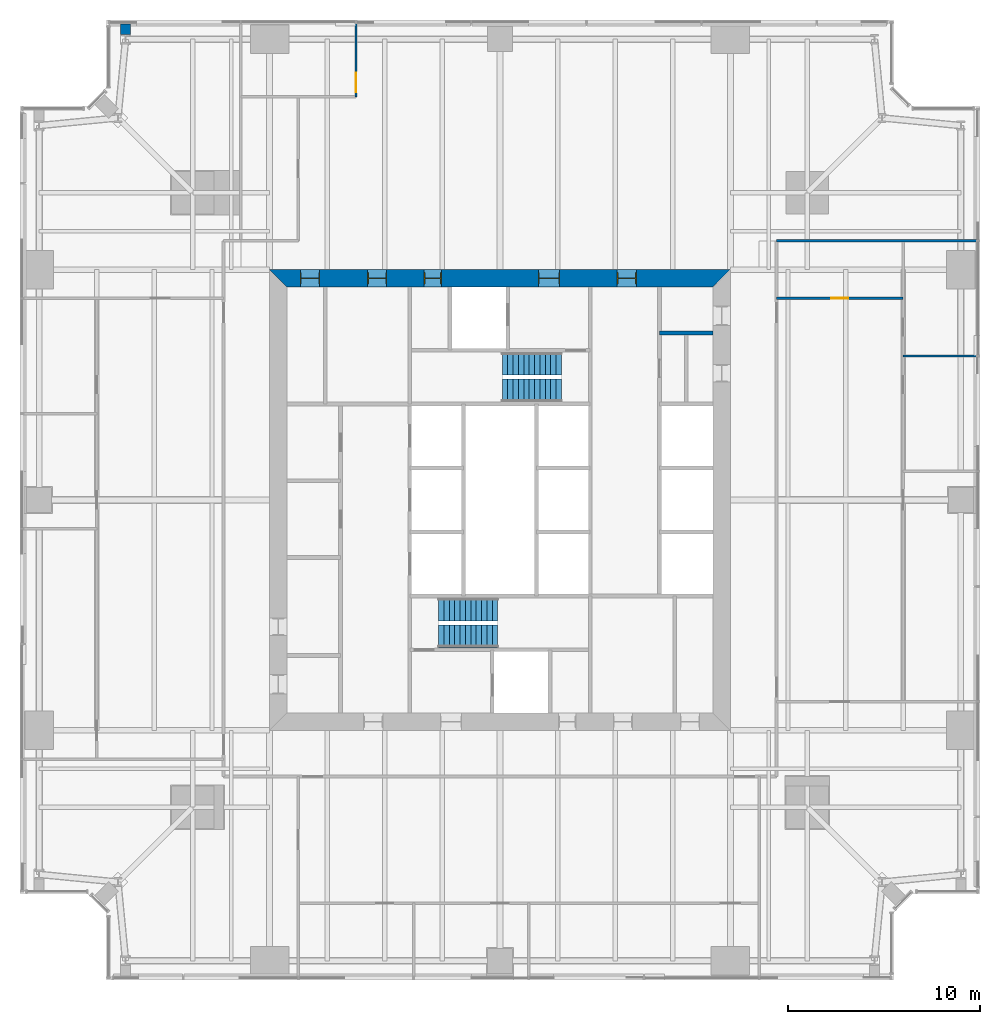
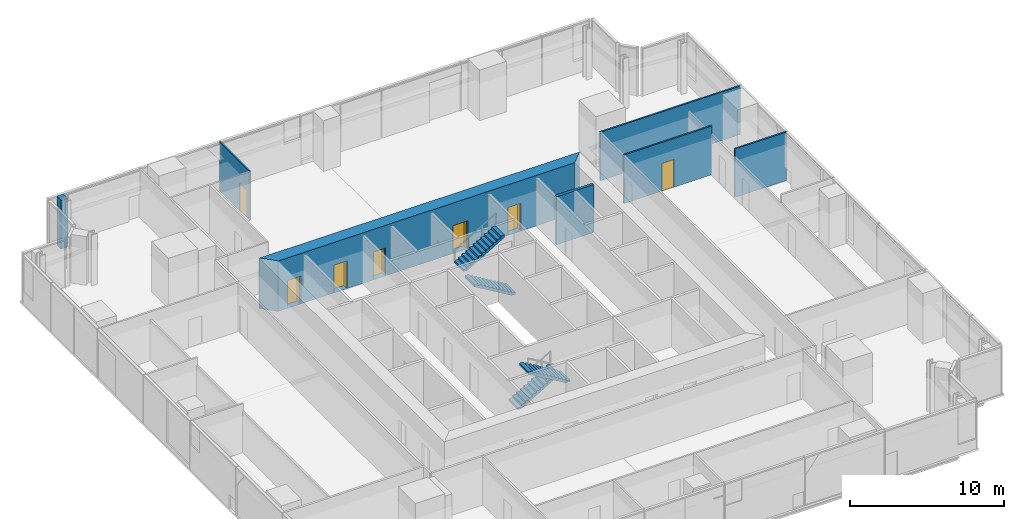
# One storey, part 12 of 14: 7 doors, 7 walls, 4 stair flights, 7 openings, 2 elements without a shape of their own.
"""IFC4 building model written with IfcOpenShell, lengths in metres."""

from ifc_helpers import new_model, si_unit, direction, frame, frame_2d, origin, place, context, subcontext, project, spatial, polyline, rectangle, outline, extrude, material, layer, layer_set, type_object, element, fill, aggregate, save


model = new_model("IFC4")

# Units and contexts
model_context = context("Model", 3, precision=1e-05, world=origin(), true_north=direction((0.0, 1.0)))
body_context = subcontext(model_context, "Body", "Model", "MODEL_VIEW")
ifc_project = project(units=[si_unit("LENGTHUNIT", "METRE"), si_unit("AREAUNIT", "SQUARE_METRE"), si_unit("VOLUMEUNIT", "CUBIC_METRE"), si_unit("PLANEANGLEUNIT", "RADIAN"), si_unit("MASSUNIT", "GRAM", prefix="KILO")], contexts=[model_context])

# Site, building, storey
site_placement = place(None, origin())
site = spatial("IfcSite", under=ifc_project, at=site_placement, CompositionType="ELEMENT")
building_placement = place(site_placement, origin())
building = spatial("IfcBuilding", under=site, at=building_placement, Name="Fenwick Lantern Interchange", CompositionType="ELEMENT")
storey_placement = place(building_placement, frame((0.0, 0.0, 150.39990234375)))
storey = spatial("IfcBuildingStorey", under=building, at=storey_placement, Name="L35", CompositionType="ELEMENT", Elevation=150.39990234375)

# Walls
ifc_material_1 = material(Name="Fire-rated gypsum board encasement on steel studs, 2 hour", Category="steel")
ifc_layer_1 = layer(ifc_material_1, 0.52392578125)
ifc_layer_set_1 = layer_set([ifc_layer_1], Name="COLUMN PIER 524")
wall_type_1 = type_object("IfcWallType", Name="COLUMN PIER 524", PredefinedType="PARTITIONING", material=ifc_layer_set_1)
wall_1_placement = place(storey_placement, frame((5.5, 49.800048828125, 0.0), z_axis=(0.0, 0.0, 1.0), x_axis=(0.0, -1.0, 0.0)))
element("IfcWall", 1, at=wall_1_placement, inside=storey, type_object=wall_type_1, Name="L35/W/PIER/CN5", PredefinedType="PARTITIONING", context=body_context, shape_type="SweptSolid", body=[
    extrude(rectangle(XDim=0.5625, YDim=0.52392578125, at=frame_2d((0.28125, 0.0))), origin(), (0.0, 0.0, 1.0), 3.85009765625),
])
ifc_material_2 = material(Name="Concrete masonry ASTM C90 Grade N", Category="masonry")
ifc_layer_2 = layer(ifc_material_2, 0.199951171875)
ifc_layer_set_2 = layer_set([ifc_layer_2], Name="Concrete masonry ASTM C90 Grade N")
wall_type_2 = type_object("IfcWallType", Name="CORE PARTITION 200", PredefinedType="PARTITIONING", material=ifc_layer_set_2)
wall_2_placement = place(storey_placement, frame((36.10009765625, 33.699951171875, 0.0), z_axis=(0.0, 0.0, 1.0), x_axis=(-1.0, 0.0, 0.0)))
element("IfcWall", 2, at=wall_2_placement, inside=storey, type_object=wall_type_2, Name="L35/W/COREN/p1", PredefinedType="PARTITIONING", context=body_context, shape_type="SweptSolid", body=[
    extrude(rectangle(XDim=2.800048828125, YDim=0.199951171875, at=frame_2d((1.39990234375, 0.0))), origin(), (0.0, 0.0, 1.0), 3.800048828125),
])

# Wall, openings, doors
ifc_material_3 = material(Name="Concrete f'c 70 MPa", Category="concrete")
ifc_layer_3 = layer(ifc_material_3, 0.89990234375)
ifc_layer_set_3 = layer_set([ifc_layer_3], Name="CORE WALL 900")
wall_type_3 = type_object("IfcWallType", Name="CORE WALL 900", PredefinedType="SHEAR", material=ifc_layer_set_3)
wall_3_placement = place(storey_placement, frame((37.0, 36.550048828125, 0.0), z_axis=(0.0, 0.0, 1.0), x_axis=(-1.0, 0.0, 0.0)))
wall_3 = element("IfcWall", 3, at=wall_3_placement, inside=storey, type_object=wall_type_3, Name="L35/CORE/N", PredefinedType="SHEAR", context=body_context, shape_type="SweptSolid", body=[
    extrude(outline(polyline([(0.0, -0.449951171875), (24.0, -0.449951171875), (23.10009765625, 0.449951171875), (0.89990234375, 0.449951171875), (0.0, -0.449951171875)])), origin(), (0.0, 0.0, 1.0), 4.0),
])
opening_1_placement = place(wall_3_placement, frame((4.89990234375, 0.0, 0.0)))
opening_1 = element("IfcOpeningElement", 4, at=opening_1_placement, cuts=wall_3, Name="Opening L35-D011", PredefinedType="OPENING", context=body_context, shape_type="SweptSolid", body=[
    extrude(rectangle(XDim=1.0, YDim=2.199951171875, at=frame_2d((0.5, 1.10009765625))), frame((0.0, 0.4599609375, 0.0), z_axis=(0.0, -1.0, 0.0), x_axis=(1.0, 0.0, 0.0)), (0.0, 0.0, 1.0), 0.919921875),
])
opening_2_placement = place(wall_3_placement, frame((8.89990234375, 0.0, 0.0)))
opening_2 = element("IfcOpeningElement", 5, at=opening_2_placement, cuts=wall_3, Name="Opening L35-D012", PredefinedType="OPENING", context=body_context, shape_type="SweptSolid", body=[
    extrude(rectangle(XDim=1.10009765625, YDim=2.199951171875, at=frame_2d((0.550048828125, 1.10009765625))), frame((0.0, 0.4599609375, 0.0), z_axis=(0.0, -1.0, 0.0), x_axis=(1.0, 0.0, 0.0)), (0.0, 0.0, 1.0), 0.919921875),
])
opening_3_placement = place(wall_3_placement, frame((15.050048828125, 0.0, 0.0)))
opening_3 = element("IfcOpeningElement", 6, at=opening_3_placement, cuts=wall_3, Name="Opening L35-D014", PredefinedType="OPENING", context=body_context, shape_type="SweptSolid", body=[
    extrude(rectangle(XDim=0.89990234375, YDim=2.199951171875, at=frame_2d((0.449951171875, 1.10009765625))), frame((0.0, 0.4599609375, 0.0), z_axis=(0.0, -1.0, 0.0), x_axis=(1.0, 0.0, 0.0)), (0.0, 0.0, 1.0), 0.919921875),
])
opening_4_placement = place(wall_3_placement, frame((17.89990234375, 0.0, 0.0)))
opening_4 = element("IfcOpeningElement", 7, at=opening_4_placement, cuts=wall_3, Name="Opening L35-D015", PredefinedType="OPENING", context=body_context, shape_type="SweptSolid", body=[
    extrude(rectangle(XDim=1.0, YDim=2.199951171875, at=frame_2d((0.5, 1.10009765625))), frame((0.0, 0.4599609375, 0.0), z_axis=(0.0, -1.0, 0.0), x_axis=(1.0, 0.0, 0.0)), (0.0, 0.0, 1.0), 0.919921875),
])
opening_5_placement = place(wall_3_placement, frame((21.39990234375, 0.0, 0.0)))
opening_5 = element("IfcOpeningElement", 8, at=opening_5_placement, cuts=wall_3, Name="Opening L35-D016", PredefinedType="OPENING", context=body_context, shape_type="SweptSolid", body=[
    extrude(rectangle(XDim=1.0, YDim=2.199951171875, at=frame_2d((0.5, 1.10009765625))), frame((0.0, 0.4599609375, 0.0), z_axis=(0.0, -1.0, 0.0), x_axis=(1.0, 0.0, 0.0)), (0.0, 0.0, 1.0), 0.919921875),
])
ifc_material_4 = material(Name="Steel door and frame", Category="steel")
door_type_1 = type_object("IfcDoorType", Name="CORE LOBBY DOOR 1000 X 2200", OperationType="SINGLE_SWING_LEFT", PredefinedType="DOOR", material=ifc_material_4)
door_1_placement = place(opening_1_placement, origin())
door_1 = element("IfcDoor", 9, at=door_1_placement, inside=storey, type_object=door_type_1, Name="Core lobby door", OperationType="SINGLE_SWING_LEFT", OverallHeight=2.199951171875, OverallWidth=1.0, PredefinedType="DOOR", context=body_context, shape_type="SweptSolid", body=[
    extrude(rectangle(XDim=1.0, YDim=2.199951171875, at=frame_2d((0.5, 1.10009765625))), frame((0.0, 0.02490234375, 0.0), z_axis=(0.0, -1.0, 0.0), x_axis=(1.0, 0.0, 0.0)), (0.0, 0.0, 1.0), 0.050048828125),
    extrude(outline(polyline([(0.0, 0.0), (0.0400390625, 0.0), (0.0400390625, 2.159912109375), (0.9599609375, 2.159912109375), (0.9599609375, 0.0), (1.0, 0.0), (1.0, 2.199951171875), (0.0, 2.199951171875), (0.0, 0.0)])), frame((0.0, 0.300048828125, 0.0), z_axis=(0.0, -1.0, 0.0), x_axis=(1.0, 0.0, 0.0)), (0.0, 0.0, 1.0), 0.60009765625),
])
fill(opening_1, door_1)
door_type_2 = type_object("IfcDoorType", Name="FIRE LOBBY DOOR 1100 X 2200", OperationType="SINGLE_SWING_LEFT", PredefinedType="DOOR", material=ifc_material_4)
door_2_placement = place(opening_2_placement, origin())
door_2 = element("IfcDoor", 10, at=door_2_placement, inside=storey, type_object=door_type_2, Name="Fire lobby door", OperationType="SINGLE_SWING_LEFT", OverallHeight=2.199951171875, OverallWidth=1.10009765625, PredefinedType="DOOR", context=body_context, shape_type="SweptSolid", body=[
    extrude(rectangle(XDim=1.10009765625, YDim=2.199951171875, at=frame_2d((0.550048828125, 1.10009765625))), frame((0.0, 0.02490234375, 0.0), z_axis=(0.0, -1.0, 0.0), x_axis=(1.0, 0.0, 0.0)), (0.0, 0.0, 1.0), 0.050048828125),
    extrude(outline(polyline([(0.0, 0.0), (0.0400390625, 0.0), (0.0400390625, 2.159912109375), (1.06005859375, 2.159912109375), (1.06005859375, 0.0), (1.10009765625, 0.0), (1.10009765625, 2.199951171875), (0.0, 2.199951171875), (0.0, 0.0)])), frame((0.0, 0.300048828125, 0.0), z_axis=(0.0, -1.0, 0.0), x_axis=(1.0, 0.0, 0.0)), (0.0, 0.0, 1.0), 0.60009765625),
])
fill(opening_2, door_2)
door_type_3 = type_object("IfcDoorType", Name="SERVICE DOOR 900 X 2200", OperationType="SINGLE_SWING_LEFT", PredefinedType="DOOR", material=ifc_material_4)
door_3_placement = place(opening_3_placement, origin())
door_3 = element("IfcDoor", 11, at=door_3_placement, inside=storey, type_object=door_type_3, Name="Service door", OperationType="SINGLE_SWING_LEFT", OverallHeight=2.199951171875, OverallWidth=0.89990234375, PredefinedType="DOOR", context=body_context, shape_type="SweptSolid", body=[
    extrude(rectangle(XDim=0.89990234375, YDim=2.199951171875, at=frame_2d((0.449951171875, 1.10009765625))), frame((0.0, 0.02490234375, 0.0), z_axis=(0.0, -1.0, 0.0), x_axis=(1.0, 0.0, 0.0)), (0.0, 0.0, 1.0), 0.050048828125),
    extrude(outline(polyline([(0.0, 0.0), (0.0400390625, 0.0), (0.0400390625, 2.159912109375), (0.85986328125, 2.159912109375), (0.85986328125, 0.0), (0.89990234375, 0.0), (0.89990234375, 2.199951171875), (0.0, 2.199951171875), (0.0, 0.0)])), frame((0.0, 0.300048828125, 0.0), z_axis=(0.0, -1.0, 0.0), x_axis=(1.0, 0.0, 0.0)), (0.0, 0.0, 1.0), 0.60009765625),
])
fill(opening_3, door_3)
ifc_material_5 = material(Name="Hardwood door and steel frame", Category="steel")
door_type_4 = type_object("IfcDoorType", Name="WC DOOR 1000 X 2200", OperationType="SINGLE_SWING_LEFT", PredefinedType="DOOR", material=ifc_material_5)
door_4_placement = place(opening_4_placement, origin())
door_4 = element("IfcDoor", 12, at=door_4_placement, inside=storey, type_object=door_type_4, Name="Wc door", OperationType="SINGLE_SWING_LEFT", OverallHeight=2.199951171875, OverallWidth=1.0, PredefinedType="DOOR", context=body_context, shape_type="SweptSolid", body=[
    extrude(rectangle(XDim=1.0, YDim=2.199951171875, at=frame_2d((0.5, 1.10009765625))), frame((0.0, 0.02490234375, 0.0), z_axis=(0.0, -1.0, 0.0), x_axis=(1.0, 0.0, 0.0)), (0.0, 0.0, 1.0), 0.050048828125),
    extrude(outline(polyline([(0.0, 0.0), (0.0400390625, 0.0), (0.0400390625, 2.159912109375), (0.9599609375, 2.159912109375), (0.9599609375, 0.0), (1.0, 0.0), (1.0, 2.199951171875), (0.0, 2.199951171875), (0.0, 0.0)])), frame((0.0, 0.300048828125, 0.0), z_axis=(0.0, -1.0, 0.0), x_axis=(1.0, 0.0, 0.0)), (0.0, 0.0, 1.0), 0.60009765625),
])
fill(opening_4, door_4)
door_5_placement = place(opening_5_placement, origin())
door_5 = element("IfcDoor", 13, at=door_5_placement, inside=storey, type_object=door_type_4, Name="Wc door", OperationType="SINGLE_SWING_LEFT", OverallHeight=2.199951171875, OverallWidth=1.0, PredefinedType="DOOR", context=body_context, shape_type="SweptSolid", body=[
    extrude(rectangle(XDim=1.0, YDim=2.199951171875, at=frame_2d((0.5, 1.10009765625))), frame((0.0, 0.02490234375, 0.0), z_axis=(0.0, -1.0, 0.0), x_axis=(1.0, 0.0, 0.0)), (0.0, 0.0, 1.0), 0.050048828125),
    extrude(outline(polyline([(0.0, 0.0), (0.0400390625, 0.0), (0.0400390625, 2.159912109375), (0.9599609375, 2.159912109375), (0.9599609375, 0.0), (1.0, 0.0), (1.0, 2.199951171875), (0.0, 2.199951171875), (0.0, 0.0)])), frame((0.0, 0.300048828125, 0.0), z_axis=(0.0, -1.0, 0.0), x_axis=(1.0, 0.0, 0.0)), (0.0, 0.0, 1.0), 0.60009765625),
])
fill(opening_5, door_5)

# Wall
ifc_material_6 = material(Name="Gypsum board on steel studs, acoustic", Category="steel")
ifc_layer_4 = layer(ifc_material_6, 0.125)
ifc_layer_set_4 = layer_set([ifc_layer_4], Name="OFFICE PARTITION 125")
wall_type_4 = type_object("IfcWallType", Name="OFFICE PARTITION 125", PredefinedType="PARTITIONING", material=ifc_layer_set_4)
wall_4_placement = place(storey_placement, frame((49.85009765625, 32.5, 0.0), z_axis=(0.0, 0.0, 1.0), x_axis=(-1.0, 0.0, 0.0)))
element("IfcWall", 14, at=wall_4_placement, inside=storey, type_object=wall_type_4, Name="L35/W/OFF/E/X325-1", PredefinedType="PARTITIONING", context=body_context, shape_type="SweptSolid", body=[
    extrude(rectangle(XDim=3.85009765625, YDim=0.125, at=frame_2d((1.925048828125, 0.0))), origin(), (0.0, 0.0, 1.0), 3.85009765625),
])

# Wall, opening, door
wall_5_placement = place(storey_placement, frame((46.0, 35.5, 0.0), z_axis=(0.0, 0.0, 1.0), x_axis=(-1.0, 0.0, 0.0)))
wall_5 = element("IfcWall", 15, at=wall_5_placement, inside=storey, type_object=wall_type_4, Name="L35/W/OFF/E/X355-1", PredefinedType="PARTITIONING", context=body_context, shape_type="SweptSolid", body=[
    extrude(rectangle(XDim=6.60009765625, YDim=0.125, at=frame_2d((3.300048828125, 0.0))), origin(), (0.0, 0.0, 1.0), 3.85009765625),
])
opening_6_placement = place(wall_5_placement, frame((2.85009765625, 0.0, 0.0)))
opening_6 = element("IfcOpeningElement", 16, at=opening_6_placement, cuts=wall_5, Name="Opening L35-D032", PredefinedType="OPENING", context=body_context, shape_type="SweptSolid", body=[
    extrude(rectangle(XDim=0.89990234375, YDim=2.199951171875, at=frame_2d((0.449951171875, 1.10009765625))), frame((0.0, 0.072509765625, 0.0), z_axis=(0.0, -1.0, 0.0), x_axis=(1.0, 0.0, 0.0)), (0.0, 0.0, 1.0), 0.14501953125),
])
door_type_5 = type_object("IfcDoorType", Name="OFFICE DOOR 900 X 2200", OperationType="SINGLE_SWING_LEFT", PredefinedType="DOOR", material=ifc_material_5)
door_6_placement = place(opening_6_placement, frame((0.89990234375, 0.0, 0.0), z_axis=(0.0, 0.0, 1.0), x_axis=(-1.0, 0.0, 0.0)))
door_6 = element("IfcDoor", 17, at=door_6_placement, inside=storey, type_object=door_type_5, Name="Office door", OperationType="SINGLE_SWING_RIGHT", OverallHeight=2.199951171875, OverallWidth=0.89990234375, PredefinedType="DOOR", context=body_context, shape_type="SweptSolid", body=[
    extrude(rectangle(XDim=0.89990234375, YDim=2.199951171875, at=frame_2d((0.449951171875, 1.10009765625))), frame((0.0, 0.02490234375, 0.0), z_axis=(0.0, -1.0, 0.0), x_axis=(1.0, 0.0, 0.0)), (0.0, 0.0, 1.0), 0.050048828125),
])
fill(opening_6, door_6)

# Wall
wall_6_placement = place(storey_placement, frame((49.85009765625, 38.5, 0.0), z_axis=(0.0, 0.0, 1.0), x_axis=(-1.0, 0.0, 0.0)))
element("IfcWall", 18, at=wall_6_placement, inside=storey, type_object=wall_type_4, Name="L35/W/OFF/N/BACK", PredefinedType="PARTITIONING", context=body_context, shape_type="SweptSolid", body=[
    extrude(rectangle(XDim=10.4501953125, YDim=0.125, at=frame_2d((5.22509765625, 0.0))), origin(), (0.0, 0.0, 1.0), 3.85009765625),
])

# Wall, opening, door
wall_7_placement = place(storey_placement, frame((17.5, 49.85009765625, 0.0), z_axis=(0.0, 0.0, 1.0), x_axis=(0.0, -1.0, 0.0)))
wall_7 = element("IfcWall", 19, at=wall_7_placement, inside=storey, type_object=wall_type_4, Name="L35/W/OFF/N/X325-1", PredefinedType="PARTITIONING", context=body_context, shape_type="SweptSolid", body=[
    extrude(rectangle(XDim=3.85009765625, YDim=0.125, at=frame_2d((1.925048828125, 0.0))), origin(), (0.0, 0.0, 1.0), 3.85009765625),
])
opening_7_placement = place(wall_7_placement, frame((2.60009765625, 0.0, 0.0)))
opening_7 = element("IfcOpeningElement", 20, at=opening_7_placement, cuts=wall_7, Name="Opening L35-D033", PredefinedType="OPENING", context=body_context, shape_type="SweptSolid", body=[
    extrude(rectangle(XDim=1.0, YDim=2.199951171875, at=frame_2d((0.5, 1.10009765625))), frame((0.0, 0.072509765625, 0.0), z_axis=(0.0, -1.0, 0.0), x_axis=(1.0, 0.0, 0.0)), (0.0, 0.0, 1.0), 0.14501953125),
])
door_type_6 = type_object("IfcDoorType", Name="MEETING ROOM DOOR 1000 X 2200", OperationType="SINGLE_SWING_LEFT", PredefinedType="DOOR", material=ifc_material_5)
door_7_placement = place(opening_7_placement, frame((1.0, 0.0, 0.0), z_axis=(0.0, 0.0, 1.0), x_axis=(-1.0, 0.0, 0.0)))
door_7 = element("IfcDoor", 21, at=door_7_placement, inside=storey, type_object=door_type_6, Name="Meeting room door", OperationType="SINGLE_SWING_LEFT", OverallHeight=2.199951171875, OverallWidth=1.0, PredefinedType="DOOR", context=body_context, shape_type="SweptSolid", body=[
    extrude(rectangle(XDim=1.0, YDim=2.199951171875, at=frame_2d((0.5, 1.10009765625))), frame((0.0, 0.02490234375, 0.0), z_axis=(0.0, -1.0, 0.0), x_axis=(1.0, 0.0, 0.0)), (0.0, 0.0, 1.0), 0.050048828125),
])
fill(opening_7, door_7)

# Stair, stair flights
ifc_material_7 = material(Name="Precast concrete f'c 35 MPa", Category="concrete")
stair_type = type_object("IfcStairType", Name="EXIT STAIR 1200", PredefinedType="HALF_TURN_STAIR", material=ifc_material_7)
stair_1_placement = place(storey_placement, origin())
stair_1 = element("IfcStair", 22, at=stair_1_placement, inside=storey, type_object=stair_type, Name="Exit stair ST1", PredefinedType="HALF_TURN_STAIR")
stair_flight_type = type_object("IfcStairFlightType", Name="STAIR FLIGHT 1200", PredefinedType="STRAIGHT", material=ifc_material_7)
stair_flight_1_placement = place(storey_placement, frame((21.800048828125, 19.300048828125, 0.0), z_axis=(0.0, 0.0, 1.0), x_axis=(1.0, 0.0, 0.0)))
stair_flight_1 = element("IfcStairFlight", 23, at=stair_flight_1_placement, type_object=stair_flight_type, Name="ST1 flight 1", NumberOfRisers=12, NumberOfTreads=11, PredefinedType="STRAIGHT", RiserHeight=0.166666667, TreadLength=0.28, context=body_context, shape_type="SweptSolid", body=[
    extrude(outline(polyline([(0.0, 0.0), (0.0, 0.166748046875), (0.280029296875, 0.166748046875), (0.280029296875, 0.333251953125), (0.56005859375, 0.333251953125), (0.56005859375, 0.5), (0.840087890625, 0.5), (0.840087890625, 0.666748046875), (1.1201171875, 0.666748046875), (1.1201171875, 0.833251953125), (1.39990234375, 0.833251953125), (1.39990234375, 1.0), (1.679931640625, 1.0), (1.679931640625, 1.166748046875), (1.9599609375, 1.166748046875), (1.9599609375, 1.333251953125), (2.239990234375, 1.333251953125), (2.239990234375, 1.5), (2.52001953125, 1.5), (2.52001953125, 1.666748046875), (2.800048828125, 1.666748046875), (2.800048828125, 1.833251953125), (3.080078125, 1.833251953125), (3.080078125, 2.0), (3.080078125, 1.658935546875), (0.29296875, 0.0), (0.0, 0.0)])), frame((0.0, 0.60009765625, 0.0), z_axis=(0.0, -1.0, 0.0), x_axis=(1.0, 0.0, 0.0)), (0.0, 0.0, 1.0), 1.199951171875),
])
stair_flight_2_placement = place(storey_placement, frame((24.8798828125, 17.89990234375, 2.0), z_axis=(0.0, 0.0, 1.0), x_axis=(-1.0, 0.0, 0.0)))
stair_flight_2 = element("IfcStairFlight", 24, at=stair_flight_2_placement, type_object=stair_flight_type, Name="ST1 flight 2", NumberOfRisers=12, NumberOfTreads=11, PredefinedType="STRAIGHT", RiserHeight=0.166666667, TreadLength=0.28, context=body_context, shape_type="SweptSolid", body=[
    extrude(outline(polyline([(0.0, 0.0), (0.0, 0.166748046875), (0.280029296875, 0.166748046875), (0.280029296875, 0.333251953125), (0.56005859375, 0.333251953125), (0.56005859375, 0.5), (0.840087890625, 0.5), (0.840087890625, 0.666748046875), (1.1201171875, 0.666748046875), (1.1201171875, 0.833251953125), (1.39990234375, 0.833251953125), (1.39990234375, 1.0), (1.679931640625, 1.0), (1.679931640625, 1.166748046875), (1.9599609375, 1.166748046875), (1.9599609375, 1.333251953125), (2.239990234375, 1.333251953125), (2.239990234375, 1.5), (2.52001953125, 1.5), (2.52001953125, 1.666748046875), (2.800048828125, 1.666748046875), (2.800048828125, 1.833251953125), (3.080078125, 1.833251953125), (3.080078125, 2.0), (3.080078125, 1.658935546875), (0.29296875, 0.0), (0.0, 0.0)])), frame((0.0, 0.60009765625, 0.0), z_axis=(0.0, -1.0, 0.0), x_axis=(1.0, 0.0, 0.0)), (0.0, 0.0, 1.0), 1.199951171875),
])
aggregate(stair_1, [stair_flight_1, stair_flight_2])

stair_2_placement = place(storey_placement, origin())
stair_2 = element("IfcStair", 25, at=stair_2_placement, inside=storey, type_object=stair_type, Name="Exit stair ST2", PredefinedType="HALF_TURN_STAIR")
stair_flight_3_placement = place(storey_placement, frame((28.199951171875, 30.699951171875, 0.0), z_axis=(0.0, 0.0, 1.0), x_axis=(-1.0, 0.0, 0.0)))
stair_flight_3 = element("IfcStairFlight", 26, at=stair_flight_3_placement, type_object=stair_flight_type, Name="ST2 flight 1", NumberOfRisers=12, NumberOfTreads=11, PredefinedType="STRAIGHT", RiserHeight=0.166666667, TreadLength=0.28, context=body_context, shape_type="SweptSolid", body=[
    extrude(outline(polyline([(0.0, 0.0), (0.0, 0.166748046875), (0.280029296875, 0.166748046875), (0.280029296875, 0.333251953125), (0.56005859375, 0.333251953125), (0.56005859375, 0.5), (0.840087890625, 0.5), (0.840087890625, 0.666748046875), (1.1201171875, 0.666748046875), (1.1201171875, 0.833251953125), (1.39990234375, 0.833251953125), (1.39990234375, 1.0), (1.679931640625, 1.0), (1.679931640625, 1.166748046875), (1.9599609375, 1.166748046875), (1.9599609375, 1.333251953125), (2.239990234375, 1.333251953125), (2.239990234375, 1.5), (2.52001953125, 1.5), (2.52001953125, 1.666748046875), (2.800048828125, 1.666748046875), (2.800048828125, 1.833251953125), (3.080078125, 1.833251953125), (3.080078125, 2.0), (3.080078125, 1.658935546875), (0.29296875, 0.0), (0.0, 0.0)])), frame((0.0, 0.60009765625, 0.0), z_axis=(0.0, -1.0, 0.0), x_axis=(1.0, 0.0, 0.0)), (0.0, 0.0, 1.0), 1.199951171875),
])
stair_flight_4_placement = place(storey_placement, frame((25.1201171875, 32.10009765625, 2.0), z_axis=(0.0, 0.0, 1.0), x_axis=(1.0, 0.0, 0.0)))
stair_flight_4 = element("IfcStairFlight", 27, at=stair_flight_4_placement, type_object=stair_flight_type, Name="ST2 flight 2", NumberOfRisers=12, NumberOfTreads=11, PredefinedType="STRAIGHT", RiserHeight=0.166666667, TreadLength=0.28, context=body_context, shape_type="SweptSolid", body=[
    extrude(outline(polyline([(0.0, 0.0), (0.0, 0.166748046875), (0.280029296875, 0.166748046875), (0.280029296875, 0.333251953125), (0.56005859375, 0.333251953125), (0.56005859375, 0.5), (0.840087890625, 0.5), (0.840087890625, 0.666748046875), (1.1201171875, 0.666748046875), (1.1201171875, 0.833251953125), (1.39990234375, 0.833251953125), (1.39990234375, 1.0), (1.679931640625, 1.0), (1.679931640625, 1.166748046875), (1.9599609375, 1.166748046875), (1.9599609375, 1.333251953125), (2.239990234375, 1.333251953125), (2.239990234375, 1.5), (2.52001953125, 1.5), (2.52001953125, 1.666748046875), (2.800048828125, 1.666748046875), (2.800048828125, 1.833251953125), (3.080078125, 1.833251953125), (3.080078125, 2.0), (3.080078125, 1.658935546875), (0.29296875, 0.0), (0.0, 0.0)])), frame((0.0, 0.60009765625, 0.0), z_axis=(0.0, -1.0, 0.0), x_axis=(1.0, 0.0, 0.0)), (0.0, 0.0, 1.0), 1.199951171875),
])
aggregate(stair_2, [stair_flight_3, stair_flight_4])

save(model, "model.ifc")
